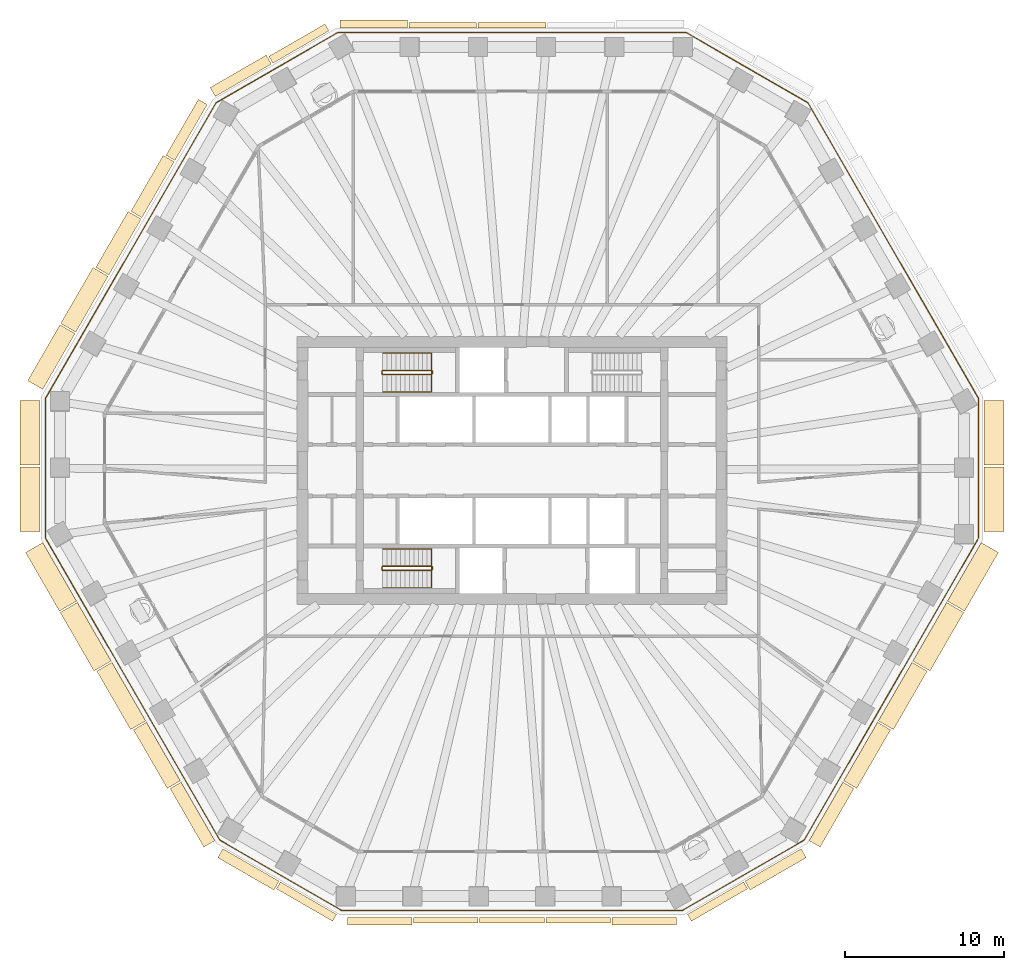
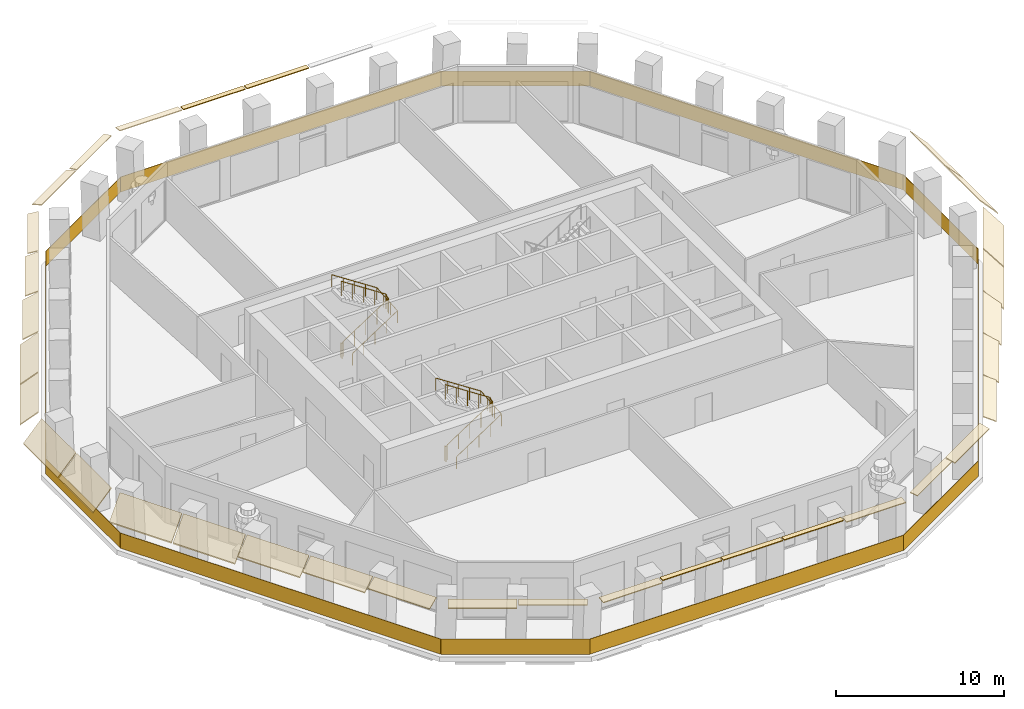
# One storey, part 9 of 12: 33 coverings, 5 railings.
"""IFC4 building model written with IfcOpenShell, lengths in metres."""

from ifc_helpers import new_model, si_unit, direction, frame, origin, origin_2d, place, context, subcontext, project, spatial, polyline, rectangle, circle, outline, extrude, material, layer, layer_set, type_object, element, save


model = new_model("IFC4")

# Units and contexts
model_context = context("Model", 3, precision=1e-05, world=origin(), true_north=direction((0.0, 1.0)))
body_context = subcontext(model_context, "Body", "Model", "MODEL_VIEW")
ifc_project = project(units=[si_unit("LENGTHUNIT", "METRE"), si_unit("AREAUNIT", "SQUARE_METRE"), si_unit("VOLUMEUNIT", "CUBIC_METRE"), si_unit("PLANEANGLEUNIT", "RADIAN"), si_unit("MASSUNIT", "GRAM", prefix="KILO")], contexts=[model_context])

# Site, building, storey
site_placement = place(None, origin())
site = spatial("IfcSite", under=ifc_project, at=site_placement, CompositionType="ELEMENT")
building_placement = place(site_placement, origin())
building = spatial("IfcBuilding", under=site, at=building_placement, Name="Frailejon Research Tower", CompositionType="ELEMENT")
storey_placement = place(building_placement, frame((0.0, 0.0, 149.60009765625)))
storey = spatial("IfcBuildingStorey", under=building, at=storey_placement, Name="L32", CompositionType="ELEMENT", Elevation=149.60009765625)

# Coverings
ifc_material_1 = material(Name="Precast concrete C50/60", Category="concrete")
ifc_layer_1 = layer(ifc_material_1, 0.06005859375)
ifc_layer_set_1 = layer_set([ifc_layer_1], Name="Brim blade depth 1100")
covering_type_1 = type_object("IfcCoveringType", Name="Brim blade depth 1100", PredefinedType="CLADDING", material=ifc_layer_set_1)
for number, where, z_axis, x_axis, name in (
    (1, (-27.502685546875, 8.717041015625, 4.25), (0.499999364741, 0.866025770551, 0.0), (-0.866025770551, 0.499999364741, 0.0), "Brim blade L32"),
    (2, (-29.586669921875, 5.107421875, 4.25), (0.500006969834, 0.866021379712, 0.0), (-0.866021379712, 0.500006969834, 0.0), "Brim blade L32"),
):
    element("IfcCovering", number, at=place(storey_placement, frame(where, z_axis=z_axis, x_axis=x_axis)), inside=storey, type_object=covering_type_1, Name=name, PredefinedType="CLADDING", context=body_context, shape_type="SweptSolid", body=[
        extrude(outline(polyline([(0.0, -0.078369140625), (1.10009765625, -1.001220703125), (1.10009765625, -0.923095703125), (0.0, 0.0), (0.0, -0.078369140625)])), origin(), (0.0, 0.0, 1.0), 4.068115234375),
    ])
for number, where, z_axis, x_axis, name in (
    (3, (-23.09716796875, -15.79443359375, 4.25), (-0.499992485979, 0.866029741963, 0.0), (-0.866029741963, -0.499992485979, 0.0), "Brim blade L32"),
    (4, (25.22705078125, -12.10546875, 4.25), (-0.499992485979, -0.866029741963, 0.0), (0.866029741963, -0.499992485979, 0.0), "Brim blade L32"),
):
    element("IfcCovering", number, at=place(storey_placement, frame(where, z_axis=z_axis, x_axis=x_axis)), inside=storey, type_object=covering_type_1, Name=name, PredefinedType="CLADDING", context=body_context, shape_type="SweptSolid", body=[
        extrude(outline(polyline([(0.0, -0.078369140625), (1.10009765625, -1.001220703125), (1.10009765625, -0.923095703125), (0.0, 0.0), (0.0, -0.078369140625)])), origin(), (0.0, 0.0, 1.0), 4.259765625),
    ])
ifc_material_2 = material(Name="Precast concrete C50/60", Category="concrete")
ifc_layer_2 = layer(ifc_material_2, 0.06005859375)
ifc_layer_set_2 = layer_set([ifc_layer_2], Name="Brim blade depth 1250")
covering_type_2 = type_object("IfcCoveringType", Name="Brim blade depth 1250", PredefinedType="CLADDING", material=ifc_layer_set_2)
covering_1_placement = place(storey_placement, frame((29.7724609375, 0.2265625, 4.25), z_axis=(0.0, -1.0, 0.0), x_axis=(1.0, 0.0, 0.0)))
element("IfcCovering", 5, at=covering_1_placement, inside=storey, type_object=covering_type_2, Name="Brim blade L32", PredefinedType="CLADDING", context=body_context, shape_type="SweptSolid", body=[
    extrude(outline(polyline([(0.0, -0.0888671875), (1.25, -1.452880859375), (1.25, -1.364013671875), (0.0, 0.0), (0.0, -0.0888671875)])), origin(), (0.0, 0.0, 1.0), 4.087646484375),
])
for number, where, z_axis, x_axis, name in (
    (6, (29.7724609375, 4.4140625, 4.25), (0.0, -1.0, 0.0), (1.0, 0.0, 0.0), "Brim blade L32"),
    (7, (-29.7724609375, 0.32666015625, 4.25), (0.0, 1.0, 0.0), (-1.0, 0.0, 0.0), "Brim blade L32"),
):
    element("IfcCovering", number, at=place(storey_placement, frame(where, z_axis=z_axis, x_axis=x_axis)), inside=storey, type_object=covering_type_2, Name=name, PredefinedType="CLADDING", context=body_context, shape_type="SweptSolid", body=[
        extrude(outline(polyline([(0.0, -0.0888671875), (1.25, -1.452880859375), (1.25, -1.364013671875), (0.0, 0.0), (0.0, -0.0888671875)])), origin(), (0.0, 0.0, 1.0), 4.08740234375),
    ])
covering_2_placement = place(storey_placement, frame((-29.7724609375, -3.861083984375, 4.25), z_axis=(0.0, 1.0, 0.0), x_axis=(-1.0, 0.0, 0.0)))
element("IfcCovering", 8, at=covering_2_placement, inside=storey, type_object=covering_type_2, Name="Brim blade L32", PredefinedType="CLADDING", context=body_context, shape_type="SweptSolid", body=[
    extrude(outline(polyline([(0.0, -0.0888671875), (1.25, -1.452880859375), (1.25, -1.364013671875), (0.0, 0.0), (0.0, -0.0888671875)])), origin(), (0.0, 0.0, 1.0), 4.087646484375),
])
for number, where, z_axis, x_axis, name in (
    (9, (-27.456787109375, -8.243408203125, 4.25), (-0.500009688898, 0.866019809824, 0.0), (-0.866019809824, -0.500009688898, 0.0), "Brim blade L32"),
    (10, (-25.277099609375, -12.018798828125, 4.25), (-0.499992485979, 0.866029741963, 0.0), (-0.866029741963, -0.499992485979, 0.0), "Brim blade L32"),
    (11, (27.40673828125, -8.329833984375, 4.25), (-0.499992485979, -0.866029741963, 0.0), (0.866029741963, -0.499992485979, 0.0), "Brim blade L32"),
    (12, (29.586669921875, -4.55419921875, 4.25), (-0.500009688898, -0.866019809824, 0.0), (0.866019809824, -0.500009688898, 0.0), "Brim blade L32"),
):
    element("IfcCovering", number, at=place(storey_placement, frame(where, z_axis=z_axis, x_axis=x_axis)), inside=storey, type_object=covering_type_2, Name=name, PredefinedType="CLADDING", context=body_context, shape_type="SweptSolid", body=[
        extrude(outline(polyline([(0.0, -0.0888671875), (1.25, -1.452880859375), (1.25, -1.364013671875), (0.0, 0.0), (0.0, -0.0888671875)])), origin(), (0.0, 0.0, 1.0), 4.259765625),
    ])
ifc_material_3 = material(Name="Precast concrete C50/60", Category="concrete")
ifc_layer_3 = layer(ifc_material_3, 0.06005859375)
ifc_layer_set_3 = layer_set([ifc_layer_3], Name="Brim blade depth 350")
covering_type_3 = type_object("IfcCoveringType", Name="Brim blade depth 350", PredefinedType="CLADDING", material=ifc_layer_set_3)
covering_3_placement = place(storey_placement, frame((-2.1298828125, 27.89990234375, 4.25), z_axis=(1.0, 0.0, 0.0), x_axis=(0.0, 1.0, 0.0)))
element("IfcCovering", 13, at=covering_3_placement, inside=storey, type_object=covering_type_3, Name="Brim blade L32", PredefinedType="CLADDING", context=body_context, shape_type="SweptSolid", body=[
    extrude(outline(polyline([(0.0, -0.06005859375), (0.35009765625, -0.06005859375), (0.35009765625, 0.0), (0.0, 0.0), (0.0, -0.06005859375)])), origin(), (0.0, 0.0, 1.0), 4.259521484375),
])
covering_4_placement = place(storey_placement, frame((-6.489501953125, 27.89990234375, 4.25), z_axis=(1.0, 0.0, 0.0), x_axis=(0.0, 1.0, 0.0)))
element("IfcCovering", 14, at=covering_4_placement, inside=storey, type_object=covering_type_3, Name="Brim blade L32", PredefinedType="CLADDING", context=body_context, shape_type="SweptSolid", body=[
    extrude(outline(polyline([(0.0, -0.06005859375), (0.35009765625, -0.06005859375), (0.35009765625, 0.0), (0.0, 0.0), (0.0, -0.06005859375)])), origin(), (0.0, 0.0, 1.0), 4.259765625),
])
for number, where, z_axis, x_axis, name in (
    (15, (-2.134033203125, -28.176513671875, 4.25), (-1.0, 0.0, 0.0), (0.0, -1.0, 0.0), "Brim blade L32"),
    (16, (2.033935546875, -28.176513671875, 4.25), (-1.0, 0.0, 0.0), (0.0, -1.0, 0.0), "Brim blade L32"),
    (17, (6.2021484375, -28.176513671875, 4.25), (-1.0, 0.0, 0.0), (0.0, -1.0, 0.0), "Brim blade L32"),
):
    element("IfcCovering", number, at=place(storey_placement, frame(where, z_axis=z_axis, x_axis=x_axis)), inside=storey, type_object=covering_type_3, Name=name, PredefinedType="CLADDING", context=body_context, shape_type="SweptSolid", body=[
        extrude(outline(polyline([(0.0, -0.06005859375), (0.35009765625, -0.06005859375), (0.35009765625, 0.0), (0.0, 0.0), (0.0, -0.06005859375)])), origin(), (0.0, 0.0, 1.0), 4.068115234375),
    ])
ifc_material_4 = material(Name="Precast concrete C50/60", Category="concrete")
ifc_layer_4 = layer(ifc_material_4, 0.06005859375)
ifc_layer_set_4 = layer_set([ifc_layer_4], Name="Brim blade depth 500")
covering_type_4 = type_object("IfcCoveringType", Name="Brim blade depth 500", PredefinedType="CLADDING", material=ifc_layer_set_4)
covering_5_placement = place(storey_placement, frame((-10.84912109375, 27.89990234375, 4.25), z_axis=(1.0, 0.0, 0.0), x_axis=(0.0, 1.0, 0.0)))
element("IfcCovering", 18, at=covering_5_placement, inside=storey, type_object=covering_type_4, Name="Brim blade L32", PredefinedType="CLADDING", context=body_context, shape_type="SweptSolid", body=[
    extrude(outline(polyline([(0.0, -0.060546875), (0.5, -0.130859375), (0.5, -0.0703125), (0.0, 0.0), (0.0, -0.060546875)])), origin(), (0.0, 0.0, 1.0), 4.259765625),
])
for number, where, z_axis, x_axis, name in (
    (19, (-15.08251953125, 25.67041015625, 4.25), (0.866021344981, 0.500007029989, 0.0), (-0.500007029989, 0.866021344981, 0.0), "Brim blade L32"),
    (20, (-11.0634765625, -27.99072265625, 4.25), (-0.866021344981, 0.500007029989, 0.0), (-0.500007029989, -0.866021344981, 0.0), "Brim blade L32"),
):
    element("IfcCovering", number, at=place(storey_placement, frame(where, z_axis=z_axis, x_axis=x_axis)), inside=storey, type_object=covering_type_4, Name=name, PredefinedType="CLADDING", context=body_context, shape_type="SweptSolid", body=[
        extrude(outline(polyline([(0.0, -0.060546875), (0.5, -0.130859375), (0.5, -0.0703125), (0.0, 0.0), (0.0, -0.060546875)])), origin(), (0.0, 0.0, 1.0), 4.08740234375),
    ])
for number, where, z_axis, x_axis, name in (
    (21, (-6.302001953125, -28.176513671875, 4.25), (-1.0, 0.0, 0.0), (0.0, -1.0, 0.0), "Brim blade L32"),
    (22, (10.3701171875, -28.176513671875, 4.25), (-1.0, 0.0, 0.0), (0.0, -1.0, 0.0), "Brim blade L32"),
):
    element("IfcCovering", number, at=place(storey_placement, frame(where, z_axis=z_axis, x_axis=x_axis)), inside=storey, type_object=covering_type_4, Name=name, PredefinedType="CLADDING", context=body_context, shape_type="SweptSolid", body=[
        extrude(outline(polyline([(0.0, -0.060546875), (0.5, -0.130859375), (0.5, -0.0703125), (0.0, 0.0), (0.0, -0.060546875)])), origin(), (0.0, 0.0, 1.0), 4.068115234375),
    ])
covering_6_placement = place(storey_placement, frame((14.603515625, -25.947021484375, 4.25), z_axis=(-0.866021344981, -0.500007029989, 0.0), x_axis=(0.500007029989, -0.866021344981, 0.0)))
element("IfcCovering", 23, at=covering_6_placement, inside=storey, type_object=covering_type_4, Name="Brim blade L32", PredefinedType="CLADDING", context=body_context, shape_type="SweptSolid", body=[
    extrude(outline(polyline([(0.0, -0.060546875), (0.5, -0.130859375), (0.5, -0.0703125), (0.0, 0.0), (0.0, -0.060546875)])), origin(), (0.0, 0.0, 1.0), 4.08740234375),
])
ifc_material_5 = material(Name="Precast concrete C50/60", Category="concrete")
ifc_layer_5 = layer(ifc_material_5, 0.06005859375)
ifc_layer_set_5 = layer_set([ifc_layer_5], Name="Brim blade depth 650")
covering_type_5 = type_object("IfcCoveringType", Name="Brim blade depth 650", PredefinedType="CLADDING", material=ifc_layer_set_5)
covering_7_placement = place(storey_placement, frame((-18.708984375, 23.57666015625, 4.25), z_axis=(0.866027315287, 0.499996689166, 0.0), x_axis=(-0.499996689166, 0.866027315287, 0.0)))
element("IfcCovering", 24, at=covering_7_placement, inside=storey, type_object=covering_type_5, Name="Brim blade L32", PredefinedType="CLADDING", context=body_context, shape_type="SweptSolid", body=[
    extrude(outline(polyline([(0.0, -0.0625), (0.64990234375, -0.248779296875), (0.64990234375, -0.186279296875), (0.0, 0.0), (0.0, -0.0625)])), origin(), (0.0, 0.0, 1.0), 4.087646484375),
])
covering_8_placement = place(storey_placement, frame((-21.25048828125, 19.546142578125, 4.25), z_axis=(0.499999364741, 0.866025770551, 0.0), x_axis=(-0.866025770551, 0.499999364741, 0.0)))
element("IfcCovering", 25, at=covering_8_placement, inside=storey, type_object=covering_type_5, Name="Brim blade L32", PredefinedType="CLADDING", context=body_context, shape_type="SweptSolid", body=[
    extrude(outline(polyline([(0.0, -0.0625), (0.64990234375, -0.248779296875), (0.64990234375, -0.186279296875), (0.0, 0.0), (0.0, -0.0625)])), origin(), (0.0, 0.0, 1.0), 4.068115234375),
])
for number, where, z_axis, x_axis, name in (
    (26, (-14.68994140625, -25.89697265625, 4.25), (-0.866027315287, 0.499996689166, 0.0), (-0.499996689166, -0.866027315287, 0.0), "Brim blade L32"),
    (27, (18.22998046875, -23.853271484375, 4.25), (-0.866027315287, -0.499996689166, 0.0), (0.499996689166, -0.866027315287, 0.0), "Brim blade L32"),
):
    element("IfcCovering", number, at=place(storey_placement, frame(where, z_axis=z_axis, x_axis=x_axis)), inside=storey, type_object=covering_type_5, Name=name, PredefinedType="CLADDING", context=body_context, shape_type="SweptSolid", body=[
        extrude(outline(polyline([(0.0, -0.0625), (0.64990234375, -0.248779296875), (0.64990234375, -0.186279296875), (0.0, 0.0), (0.0, -0.0625)])), origin(), (0.0, 0.0, 1.0), 4.087646484375),
    ])
ifc_material_6 = material(Name="Precast concrete C50/60", Category="concrete")
ifc_layer_6 = layer(ifc_material_6, 0.06005859375)
ifc_layer_set_6 = layer_set([ifc_layer_6], Name="Brim blade depth 800")
covering_type_6 = type_object("IfcCoveringType", Name="Brim blade depth 800", PredefinedType="CLADDING", material=ifc_layer_set_6)
covering_9_placement = place(storey_placement, frame((-23.334716796875, 15.936279296875, 4.25), z_axis=(0.500006969834, 0.866021379712, 0.0), x_axis=(-0.866021379712, 0.500006969834, 0.0)))
element("IfcCovering", 28, at=covering_9_placement, inside=storey, type_object=covering_type_6, Name="Brim blade L32", PredefinedType="CLADDING", context=body_context, shape_type="SweptSolid", body=[
    extrude(outline(polyline([(0.0, -0.065673828125), (0.800048828125, -0.421875), (0.800048828125, -0.356201171875), (0.0, 0.0), (0.0, -0.065673828125)])), origin(), (0.0, 0.0, 1.0), 4.068115234375),
])
for number, where, z_axis, x_axis, name in (
    (29, (-18.737548828125, -23.345703125, 4.25), (-0.499992485979, 0.866029741963, 0.0), (-0.866029741963, -0.499992485979, 0.0), "Brim blade L32"),
    (30, (20.8671875, -19.65673828125, 4.25), (-0.499992485979, -0.866029741963, 0.0), (0.866029741963, -0.499992485979, 0.0), "Brim blade L32"),
):
    element("IfcCovering", number, at=place(storey_placement, frame(where, z_axis=z_axis, x_axis=x_axis)), inside=storey, type_object=covering_type_6, Name=name, PredefinedType="CLADDING", context=body_context, shape_type="SweptSolid", body=[
        extrude(outline(polyline([(0.0, -0.065673828125), (0.800048828125, -0.421875), (0.800048828125, -0.356201171875), (0.0, 0.0), (0.0, -0.065673828125)])), origin(), (0.0, 0.0, 1.0), 4.259765625),
    ])
ifc_material_7 = material(Name="Precast concrete C50/60", Category="concrete")
ifc_layer_7 = layer(ifc_material_7, 0.06005859375)
ifc_layer_set_7 = layer_set([ifc_layer_7], Name="Brim blade depth 950")
covering_type_7 = type_object("IfcCoveringType", Name="Brim blade depth 950", PredefinedType="CLADDING", material=ifc_layer_set_7)
covering_10_placement = place(storey_placement, frame((-25.418701171875, 12.32666015625, 4.25), z_axis=(0.49998897574, 0.86603176855, 0.0), x_axis=(-0.86603176855, 0.49998897574, 0.0)))
element("IfcCovering", 31, at=covering_10_placement, inside=storey, type_object=covering_type_7, Name="Brim blade L32", PredefinedType="CLADDING", context=body_context, shape_type="SweptSolid", body=[
    extrude(outline(polyline([(0.0, -0.07080078125), (0.949951171875, -0.664306640625), (0.949951171875, -0.593505859375), (0.0, 0.0), (0.0, -0.07080078125)])), origin(), (0.0, 0.0, 1.0), 4.068115234375),
])
for number, where, z_axis, x_axis, name in (
    (32, (-20.917236328125, -19.570068359375, 4.25), (-0.500009688898, 0.866019809824, 0.0), (-0.866019809824, -0.500009688898, 0.0), "Brim blade L32"),
    (33, (23.047119140625, -15.881103515625, 4.25), (-0.500009688898, -0.866019809824, 0.0), (0.866019809824, -0.500009688898, 0.0), "Brim blade L32"),
):
    element("IfcCovering", number, at=place(storey_placement, frame(where, z_axis=z_axis, x_axis=x_axis)), inside=storey, type_object=covering_type_7, Name=name, PredefinedType="CLADDING", context=body_context, shape_type="SweptSolid", body=[
        extrude(outline(polyline([(0.0, -0.07080078125), (0.949951171875, -0.664306640625), (0.949951171875, -0.593505859375), (0.0, 0.0), (0.0, -0.07080078125)])), origin(), (0.0, 0.0, 1.0), 4.259765625),
    ])

# Railings
ifc_material_8 = material(Name="Laminated glass balustrade", Category="glass")
railing_type_1 = type_object("IfcRailingType", Name="Glass guard 1100", PredefinedType="GUARDRAIL", material=ifc_material_8)
railing_1_placement = place(storey_placement, frame((29.4013671875, -4.292724609375, 0.0)))
element("IfcRailing", 34, at=railing_1_placement, inside=storey, type_object=railing_type_1, Name="Loggia guard L32", PredefinedType="GUARDRAIL", context=body_context, shape_type="SweptSolid", body=[
    extrude(rectangle(XDim=8.862060546875, YDim=0.030029296875, at=origin_2d()), frame((0.0, 4.43115234375, 0.0), z_axis=(0.0, 0.0, 1.0), x_axis=(0.0, 1.0, 0.0)), (0.0, 0.0, 1.0), 1.10009765625),
    extrude(rectangle(XDim=21.487060546875, YDim=0.030029296875, at=origin_2d()), frame((-5.371826171875, 18.166015625, 0.0), z_axis=(0.0, 0.0, 1.0), x_axis=(-0.500008008952, 0.866020779764, 0.0)), (0.0, 0.0, 1.0), 1.10009765625),
    extrude(rectangle(XDim=8.862060546875, YDim=0.030029296875, at=origin_2d()), frame((-14.5810546875, 29.685791015625, 0.0), z_axis=(0.0, 0.0, 1.0), x_axis=(-0.86602043012, 0.50000861454, 0.0)), (0.0, 0.0, 1.0), 1.10009765625),
    extrude(rectangle(XDim=21.9658203125, YDim=0.030029296875, at=origin_2d()), frame((-29.4013671875, 31.9013671875, 0.0), z_axis=(0.0, 0.0, 1.0), x_axis=(-1.0, 0.0, 0.0)), (0.0, 0.0, 1.0), 1.10009765625),
    extrude(rectangle(XDim=8.862060546875, YDim=0.030029296875, at=origin_2d()), frame((-44.2216796875, 29.685791015625, 0.0), z_axis=(0.0, 0.0, 1.0), x_axis=(-0.86602043012, -0.50000861454, 0.0)), (0.0, 0.0, 1.0), 1.10009765625),
    extrude(rectangle(XDim=21.487060546875, YDim=0.030029296875, at=origin_2d()), frame((-53.430908203125, 18.166015625, 0.0), z_axis=(0.0, 0.0, 1.0), x_axis=(-0.500008008952, -0.866020779764, 0.0)), (0.0, 0.0, 1.0), 1.10009765625),
    extrude(rectangle(XDim=8.862060546875, YDim=0.030029296875, at=origin_2d()), frame((-58.802734375, 4.43115234375, 0.0), z_axis=(0.0, 0.0, 1.0), x_axis=(0.0, -1.0, 0.0)), (0.0, 0.0, 1.0), 1.10009765625),
    extrude(rectangle(XDim=21.966064453125, YDim=0.030029296875, at=origin_2d()), frame((-53.31103515625, -9.51171875, 0.0), z_axis=(0.0, 0.0, 1.0), x_axis=(0.500003704218, -0.866023265143, 0.0)), (0.0, 0.0, 1.0), 1.10009765625),
    extrude(rectangle(XDim=8.862060546875, YDim=0.030029296875, at=origin_2d()), frame((-43.982177734375, -21.23876953125, 0.0), z_axis=(0.0, 0.0, 1.0), x_axis=(0.866032359105, -0.499987952838, 0.0)), (0.0, 0.0, 1.0), 1.10009765625),
    extrude(rectangle(XDim=21.48681640625, YDim=0.030029296875, at=origin_2d()), frame((-29.4013671875, -23.4541015625, 0.0), z_axis=(0.0, 0.0, 1.0), x_axis=(1.0, 0.0, 0.0)), (0.0, 0.0, 1.0), 1.10009765625),
    extrude(rectangle(XDim=8.862060546875, YDim=0.030029296875, at=origin_2d()), frame((-14.820556640625, -21.23876953125, 0.0), z_axis=(0.0, 0.0, 1.0), x_axis=(0.866032359105, 0.499987952838, 0.0)), (0.0, 0.0, 1.0), 1.10009765625),
    extrude(rectangle(XDim=21.89599609375, YDim=0.030029296875, at=origin_2d()), frame((-5.50927734375, -9.5419921875, 0.0), z_axis=(0.0, 0.0, 1.0), x_axis=(0.500001710908, 0.866024415989, 0.0)), (0.0, 0.0, 1.0), 1.10009765625),
])
ifc_material_9 = material(Name="Stainless steel", Category="steel")
railing_type_2 = type_object("IfcRailingType", Name="Stair guard 1100", PredefinedType="GUARDRAIL", material=ifc_material_9)
railing_2_placement = place(storey_placement, frame((-8.199951171875, 6.25, 0.0)))
element("IfcRailing", 35, at=railing_2_placement, inside=storey, type_object=railing_type_2, Name="L32 ST1 stair guard 1", PredefinedType="GUARDRAIL", context=body_context, shape_type="SweptSolid", body=[
    extrude(circle(Radius=0.02392578125, at=origin_2d()), frame((0.0, 0.0, 1.076171875), z_axis=(0.0, -1.0, 0.0), x_axis=(1.0, 0.0, 0.0)), (0.0, 0.0, 1.0), 0.14990234375),
    extrude(circle(Radius=0.02392578125, at=origin_2d()), frame((0.0, -0.14990234375, 1.076171875), z_axis=(0.254653276557, -0.254653276557, 0.932900539971), x_axis=(0.707106781187, 0.707106781187, 0.0)), (0.0, 0.0, 1.0), 0.196533203125),
    extrude(circle(Radius=0.02392578125, at=origin_2d()), frame((0.050048828125, -0.199951171875, 1.25927734375), z_axis=(0.836613101238, 0.0, 0.547794230379), x_axis=(0.0, 1.0, 0.0)), (0.0, 0.0, 1.0), 3.681396484375),
    extrude(circle(Radius=0.02392578125, at=origin_2d()), frame((3.1298828125, -0.199951171875, 3.27587890625), z_axis=(0.707106781187, 0.707106781187, 0.0), x_axis=(-0.707106781187, 0.707106781187, 0.0)), (0.0, 0.0, 1.0), 0.07080078125),
    extrude(circle(Radius=0.02392578125, at=origin_2d()), frame((3.179931640625, -0.14990234375, 3.27587890625), z_axis=(0.0, 1.0, 0.0), x_axis=(-1.0, 0.0, 0.0)), (0.0, 0.0, 1.0), 0.14990234375),
    extrude(circle(Radius=0.02392578125, at=origin_2d()), frame((3.179931640625, 0.0, 3.27587890625), z_axis=(-0.254653276557, 0.254653276557, 0.932900539971), x_axis=(-0.707106781187, -0.707106781187, 0.0)), (0.0, 0.0, 1.0), 0.196533203125),
    extrude(circle(Radius=0.02392578125, at=origin_2d()), frame((3.1298828125, 0.050048828125, 3.45947265625), z_axis=(-0.836613101238, 0.0, 0.547794230379), x_axis=(0.0, -1.0, 0.0)), (0.0, 0.0, 1.0), 3.681396484375),
    extrude(circle(Radius=0.02099609375, at=origin_2d()), origin(), (0.0, 0.0, 1.0), 1.052001953125),
    extrude(circle(Radius=0.02099609375, at=origin_2d()), frame((0.0, -0.14990234375, 0.0)), (0.0, 0.0, 1.0), 1.052001953125),
    extrude(circle(Radius=0.02099609375, at=origin_2d()), frame((0.050048828125, -0.199951171875, 0.183349609375)), (0.0, 0.0, 1.0), 1.052001953125),
    extrude(circle(Radius=0.02099609375, at=origin_2d()), frame((0.820068359375, -0.199951171875, 0.6875)), (0.0, 0.0, 1.0), 1.052001953125),
    extrude(circle(Radius=0.02099609375, at=origin_2d()), frame((1.58984375, -0.199951171875, 1.191650390625)), (0.0, 0.0, 1.0), 1.052001953125),
    extrude(circle(Radius=0.02099609375, at=origin_2d()), frame((2.35986328125, -0.199951171875, 1.69580078125)), (0.0, 0.0, 1.0), 1.052001953125),
    extrude(circle(Radius=0.02099609375, at=origin_2d()), frame((3.1298828125, -0.199951171875, 2.199951171875)), (0.0, 0.0, 1.0), 1.052001953125),
    extrude(circle(Radius=0.02099609375, at=origin_2d()), frame((3.179931640625, -0.14990234375, 2.199951171875)), (0.0, 0.0, 1.0), 1.052001953125),
    extrude(circle(Radius=0.02099609375, at=origin_2d()), frame((3.179931640625, 0.0, 2.199951171875)), (0.0, 0.0, 1.0), 1.052001953125),
    extrude(circle(Radius=0.02099609375, at=origin_2d()), frame((3.1298828125, 0.050048828125, 2.38330078125)), (0.0, 0.0, 1.0), 1.052001953125),
    extrude(circle(Radius=0.02099609375, at=origin_2d()), frame((2.35986328125, 0.050048828125, 2.887451171875)), (0.0, 0.0, 1.0), 1.052001953125),
    extrude(circle(Radius=0.02099609375, at=origin_2d()), frame((1.58984375, 0.050048828125, 3.3916015625)), (0.0, 0.0, 1.0), 1.052001953125),
    extrude(circle(Radius=0.02099609375, at=origin_2d()), frame((0.820068359375, 0.050048828125, 3.895751953125)), (0.0, 0.0, 1.0), 1.052001953125),
    extrude(circle(Radius=0.02099609375, at=origin_2d()), frame((0.050048828125, 0.050048828125, 4.39990234375)), (0.0, 0.0, 1.0), 1.052001953125),
])
railing_3_placement = place(storey_placement, frame((-8.199951171875, -6.10009765625, 0.0)))
element("IfcRailing", 36, at=railing_3_placement, inside=storey, type_object=railing_type_2, Name="L32 ST2 stair guard 1", PredefinedType="GUARDRAIL", context=body_context, shape_type="SweptSolid", body=[
    extrude(circle(Radius=0.02392578125, at=origin_2d()), frame((0.0, 0.0, 1.076171875), z_axis=(0.0, -1.0, 0.0), x_axis=(1.0, 0.0, 0.0)), (0.0, 0.0, 1.0), 0.14990234375),
    extrude(circle(Radius=0.02392578125, at=origin_2d()), frame((0.0, -0.14990234375, 1.076171875), z_axis=(0.254653276557, -0.254653276557, 0.932900539971), x_axis=(0.707106781187, 0.707106781187, 0.0)), (0.0, 0.0, 1.0), 0.196533203125),
    extrude(circle(Radius=0.02392578125, at=origin_2d()), frame((0.050048828125, -0.199951171875, 1.25927734375), z_axis=(0.836613101238, 0.0, 0.547794230379), x_axis=(0.0, 1.0, 0.0)), (0.0, 0.0, 1.0), 3.681396484375),
    extrude(circle(Radius=0.02392578125, at=origin_2d()), frame((3.1298828125, -0.199951171875, 3.27587890625), z_axis=(0.707106781187, 0.707106781187, 0.0), x_axis=(-0.707106781187, 0.707106781187, 0.0)), (0.0, 0.0, 1.0), 0.07080078125),
    extrude(circle(Radius=0.02392578125, at=origin_2d()), frame((3.179931640625, -0.14990234375, 3.27587890625), z_axis=(0.0, 1.0, 0.0), x_axis=(-1.0, 0.0, 0.0)), (0.0, 0.0, 1.0), 0.14990234375),
    extrude(circle(Radius=0.02392578125, at=origin_2d()), frame((3.179931640625, 0.0, 3.27587890625), z_axis=(-0.254653276557, 0.254653276557, 0.932900539971), x_axis=(-0.707106781187, -0.707106781187, 0.0)), (0.0, 0.0, 1.0), 0.196533203125),
    extrude(circle(Radius=0.02392578125, at=origin_2d()), frame((3.1298828125, 0.050048828125, 3.45947265625), z_axis=(-0.836613101238, 0.0, 0.547794230379), x_axis=(0.0, -1.0, 0.0)), (0.0, 0.0, 1.0), 3.681396484375),
    extrude(circle(Radius=0.02099609375, at=origin_2d()), origin(), (0.0, 0.0, 1.0), 1.052001953125),
    extrude(circle(Radius=0.02099609375, at=origin_2d()), frame((0.0, -0.14990234375, 0.0)), (0.0, 0.0, 1.0), 1.052001953125),
    extrude(circle(Radius=0.02099609375, at=origin_2d()), frame((0.050048828125, -0.199951171875, 0.183349609375)), (0.0, 0.0, 1.0), 1.052001953125),
    extrude(circle(Radius=0.02099609375, at=origin_2d()), frame((0.820068359375, -0.199951171875, 0.6875)), (0.0, 0.0, 1.0), 1.052001953125),
    extrude(circle(Radius=0.02099609375, at=origin_2d()), frame((1.58984375, -0.199951171875, 1.191650390625)), (0.0, 0.0, 1.0), 1.052001953125),
    extrude(circle(Radius=0.02099609375, at=origin_2d()), frame((2.35986328125, -0.199951171875, 1.69580078125)), (0.0, 0.0, 1.0), 1.052001953125),
    extrude(circle(Radius=0.02099609375, at=origin_2d()), frame((3.1298828125, -0.199951171875, 2.199951171875)), (0.0, 0.0, 1.0), 1.052001953125),
    extrude(circle(Radius=0.02099609375, at=origin_2d()), frame((3.179931640625, -0.14990234375, 2.199951171875)), (0.0, 0.0, 1.0), 1.052001953125),
    extrude(circle(Radius=0.02099609375, at=origin_2d()), frame((3.179931640625, 0.0, 2.199951171875)), (0.0, 0.0, 1.0), 1.052001953125),
    extrude(circle(Radius=0.02099609375, at=origin_2d()), frame((3.1298828125, 0.050048828125, 2.38330078125)), (0.0, 0.0, 1.0), 1.052001953125),
    extrude(circle(Radius=0.02099609375, at=origin_2d()), frame((2.35986328125, 0.050048828125, 2.887451171875)), (0.0, 0.0, 1.0), 1.052001953125),
    extrude(circle(Radius=0.02099609375, at=origin_2d()), frame((1.58984375, 0.050048828125, 3.3916015625)), (0.0, 0.0, 1.0), 1.052001953125),
    extrude(circle(Radius=0.02099609375, at=origin_2d()), frame((0.820068359375, 0.050048828125, 3.895751953125)), (0.0, 0.0, 1.0), 1.052001953125),
    extrude(circle(Radius=0.02099609375, at=origin_2d()), frame((0.050048828125, 0.050048828125, 4.39990234375)), (0.0, 0.0, 1.0), 1.052001953125),
])
ifc_material_10 = material(Name="Stainless steel", Category="steel")
railing_type_3 = type_object("IfcRailingType", Name="Stair handrail 900", PredefinedType="HANDRAIL", material=ifc_material_10)
railing_4_placement = place(storey_placement, frame((-8.14990234375, 4.949951171875, 0.183349609375)))
element("IfcRailing", 37, at=railing_4_placement, inside=storey, type_object=railing_type_3, Name="L32 ST1 stair handrail 1", PredefinedType="HANDRAIL", context=body_context, shape_type="SweptSolid", body=[
    extrude(circle(Radius=0.02392578125, at=origin_2d()), frame((0.0, 0.0, 0.8759765625), z_axis=(0.836613101238, 0.0, 0.547794230379), x_axis=(0.0, 1.0, 0.0)), (0.0, 0.0, 1.0), 3.681396484375),
    extrude(circle(Radius=0.02392578125, at=origin_2d()), frame((3.079833984375, 0.0, 2.892578125), z_axis=(0.0, 0.99721134034, 0.074629368868), x_axis=(-1.0, 0.0, 0.0)), (0.0, 0.0, 1.0), 2.456787109375),
    extrude(circle(Radius=0.02392578125, at=origin_2d()), frame((3.079833984375, 2.449951171875, 3.07568359375), z_axis=(-0.836613101238, 0.0, 0.547794230379), x_axis=(0.0, -1.0, 0.0)), (0.0, 0.0, 1.0), 3.681396484375),
    extrude(circle(Radius=0.02099609375, at=origin_2d()), origin(), (0.0, 0.0, 1.0), 0.851806640625),
    extrude(circle(Radius=0.02099609375, at=origin_2d()), frame((0.77001953125, 0.0, 0.504150390625)), (0.0, 0.0, 1.0), 0.851806640625),
    extrude(circle(Radius=0.02099609375, at=origin_2d()), frame((1.5400390625, 0.0, 1.00830078125)), (0.0, 0.0, 1.0), 0.851806640625),
    extrude(circle(Radius=0.02099609375, at=origin_2d()), frame((2.309814453125, 0.0, 1.512451171875)), (0.0, 0.0, 1.0), 0.851806640625),
    extrude(circle(Radius=0.02099609375, at=origin_2d()), frame((3.079833984375, 0.0, 2.0166015625)), (0.0, 0.0, 1.0), 0.851806640625),
    extrude(circle(Radius=0.02099609375, at=origin_2d()), frame((3.079833984375, 0.816650390625, 2.07763671875)), (0.0, 0.0, 1.0), 0.851806640625),
    extrude(circle(Radius=0.02099609375, at=origin_2d()), frame((3.079833984375, 1.63330078125, 2.138916015625)), (0.0, 0.0, 1.0), 0.851806640625),
    extrude(circle(Radius=0.02099609375, at=origin_2d()), frame((3.079833984375, 2.449951171875, 2.199951171875)), (0.0, 0.0, 1.0), 0.851806640625),
    extrude(circle(Radius=0.02099609375, at=origin_2d()), frame((2.309814453125, 2.449951171875, 2.7041015625)), (0.0, 0.0, 1.0), 0.851806640625),
    extrude(circle(Radius=0.02099609375, at=origin_2d()), frame((1.5400390625, 2.449951171875, 3.208251953125)), (0.0, 0.0, 1.0), 0.851806640625),
    extrude(circle(Radius=0.02099609375, at=origin_2d()), frame((0.77001953125, 2.449951171875, 3.71240234375)), (0.0, 0.0, 1.0), 0.851806640625),
    extrude(circle(Radius=0.02099609375, at=origin_2d()), frame((0.0, 2.449951171875, 4.216552734375)), (0.0, 0.0, 1.0), 0.851806640625),
])
railing_5_placement = place(storey_placement, frame((-8.14990234375, -7.39990234375, 0.183349609375)))
element("IfcRailing", 38, at=railing_5_placement, inside=storey, type_object=railing_type_3, Name="L32 ST2 stair handrail 1", PredefinedType="HANDRAIL", context=body_context, shape_type="SweptSolid", body=[
    extrude(circle(Radius=0.02392578125, at=origin_2d()), frame((0.0, 0.0, 0.8759765625), z_axis=(0.836613101238, 0.0, 0.547794230379), x_axis=(0.0, 1.0, 0.0)), (0.0, 0.0, 1.0), 3.681396484375),
    extrude(circle(Radius=0.02392578125, at=origin_2d()), frame((3.079833984375, 0.0, 2.892578125), z_axis=(0.0, 0.99721134034, 0.074629368868), x_axis=(-1.0, 0.0, 0.0)), (0.0, 0.0, 1.0), 2.456787109375),
    extrude(circle(Radius=0.02392578125, at=origin_2d()), frame((3.079833984375, 2.449951171875, 3.07568359375), z_axis=(-0.836613101238, 0.0, 0.547794230379), x_axis=(0.0, -1.0, 0.0)), (0.0, 0.0, 1.0), 3.681396484375),
    extrude(circle(Radius=0.02099609375, at=origin_2d()), origin(), (0.0, 0.0, 1.0), 0.851806640625),
    extrude(circle(Radius=0.02099609375, at=origin_2d()), frame((0.77001953125, 0.0, 0.504150390625)), (0.0, 0.0, 1.0), 0.851806640625),
    extrude(circle(Radius=0.02099609375, at=origin_2d()), frame((1.5400390625, 0.0, 1.00830078125)), (0.0, 0.0, 1.0), 0.851806640625),
    extrude(circle(Radius=0.02099609375, at=origin_2d()), frame((2.309814453125, 0.0, 1.512451171875)), (0.0, 0.0, 1.0), 0.851806640625),
    extrude(circle(Radius=0.02099609375, at=origin_2d()), frame((3.079833984375, 0.0, 2.0166015625)), (0.0, 0.0, 1.0), 0.851806640625),
    extrude(circle(Radius=0.02099609375, at=origin_2d()), frame((3.079833984375, 0.816650390625, 2.07763671875)), (0.0, 0.0, 1.0), 0.851806640625),
    extrude(circle(Radius=0.02099609375, at=origin_2d()), frame((3.079833984375, 1.63330078125, 2.138916015625)), (0.0, 0.0, 1.0), 0.851806640625),
    extrude(circle(Radius=0.02099609375, at=origin_2d()), frame((3.079833984375, 2.449951171875, 2.199951171875)), (0.0, 0.0, 1.0), 0.851806640625),
    extrude(circle(Radius=0.02099609375, at=origin_2d()), frame((2.309814453125, 2.449951171875, 2.7041015625)), (0.0, 0.0, 1.0), 0.851806640625),
    extrude(circle(Radius=0.02099609375, at=origin_2d()), frame((1.5400390625, 2.449951171875, 3.208251953125)), (0.0, 0.0, 1.0), 0.851806640625),
    extrude(circle(Radius=0.02099609375, at=origin_2d()), frame((0.77001953125, 2.449951171875, 3.71240234375)), (0.0, 0.0, 1.0), 0.851806640625),
    extrude(circle(Radius=0.02099609375, at=origin_2d()), frame((0.0, 2.449951171875, 4.216552734375)), (0.0, 0.0, 1.0), 0.851806640625),
])

save(model, "model.ifc")
